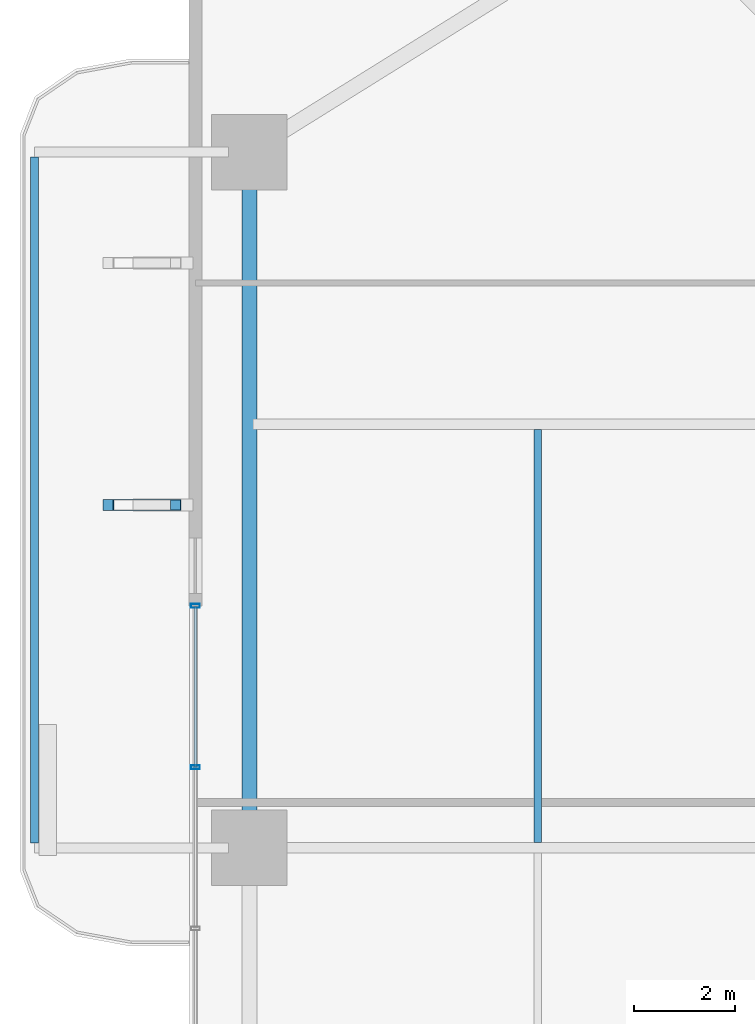
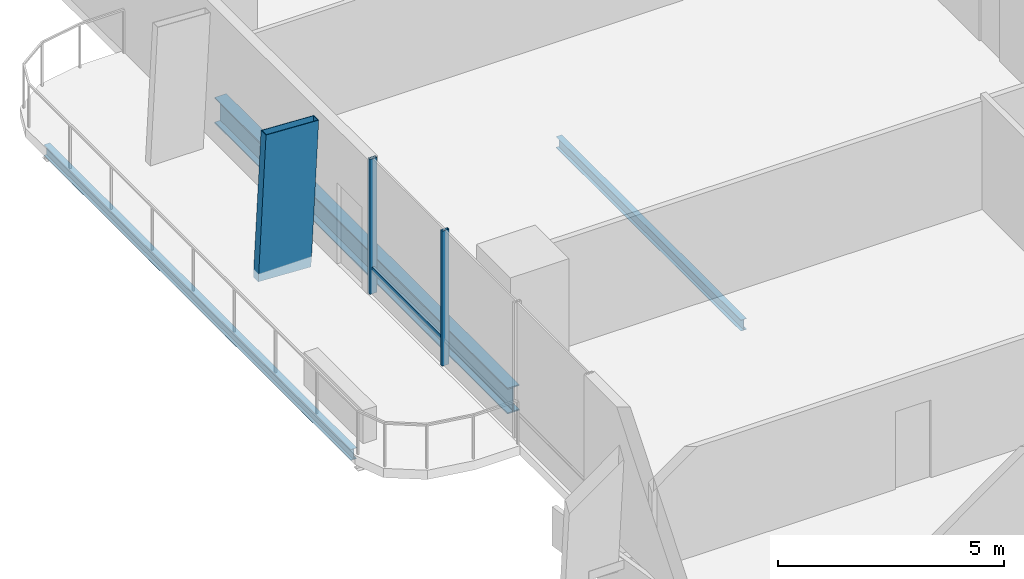
# One storey, part 9 of 23: 4 members, 3 beams, 1 element without a shape of its own.
"""IFC4 building model written with IfcOpenShell, lengths in metres."""

from ifc_helpers import new_model, si_unit, direction, frame, origin, origin_2d, place, context, subcontext, project, spatial, hollow_rectangle, i_section, extrude, material, layer, layer_set, material_profile, profile_set, type_object, element, aggregate, save


model = new_model("IFC4")

# Units and contexts
model_context = context("Model", 3, precision=1e-05, world=origin(), true_north=direction((0.0, 1.0)))
body_context = subcontext(model_context, "Body", "Model", "MODEL_VIEW")
ifc_project = project(units=[si_unit("LENGTHUNIT", "METRE"), si_unit("AREAUNIT", "SQUARE_METRE"), si_unit("VOLUMEUNIT", "CUBIC_METRE"), si_unit("PLANEANGLEUNIT", "RADIAN"), si_unit("MASSUNIT", "GRAM", prefix="KILO")], contexts=[model_context])

# Site, building, storey
site_placement = place(None, origin())
site = spatial("IfcSite", under=ifc_project, at=site_placement, CompositionType="ELEMENT")
building_placement = place(site_placement, origin())
building = spatial("IfcBuilding", under=site, at=building_placement, Name="Belovzor Exchange Tower", CompositionType="ELEMENT")
storey_placement = place(building_placement, frame((0.0, 0.0, 76.800048828125)))
storey = spatial("IfcBuildingStorey", under=building, at=storey_placement, Name="L18", CompositionType="ELEMENT", Elevation=76.800048828125)

# Member
ifc_material_1 = material(Name="Extruded Architectural Terracotta on Steel S355 Carrier", Category="masonry")
ifc_material_profile_1 = material_profile(ifc_material_1, hollow_rectangle(XDim=0.219970703125, YDim=1.35009765625, WallThickness=0.013916015625, at=origin_2d()))
ifc_profile_set_1 = profile_set([ifc_material_profile_1], Name="Extruded Architectural Terracotta on Steel S355 Carrier")
member_type_1 = type_object("IfcMemberType", Name="Base Arc Sweeping Terracotta Pylon Fin 1450", PredefinedType="USERDEFINED", material=ifc_profile_set_1)
member_1_placement = place(storey_placement, frame((-0.1259765625, 35.60009765625, -0.25), z_axis=(0.050704695274, 0.0, 0.998713689641), x_axis=(0.0, 1.0, 0.0)))
element("IfcMember", 1, at=member_1_placement, inside=storey, type_object=member_type_1, Name="FIN-TC145 Terracotta Facade Fin L18 W3", ObjectType="FIN", PredefinedType="USERDEFINED", context=body_context, shape_type="SweptSolid", body=[
    extrude(hollow_rectangle(XDim=0.219970703125, YDim=1.35009765625, WallThickness=0.013916015625, at=origin_2d()), origin(), (0.0, 0.0, 1.0), 3.905029296875),
])

# Beams
ifc_material_2 = material(Name="Steel S355", Category="steel")
ifc_material_profile_2 = material_profile(ifc_material_2, i_section(OverallWidth=0.14990234375, OverallDepth=0.300048828125, WebThickness=0.007080078125, FlangeThickness=0.0107421875, at=origin_2d()))
ifc_profile_set_2 = profile_set([ifc_material_profile_2], Name="Steel S355")
beam_type_1 = type_object("IfcBeamType", Name="Planted Balcony Fascia Edge Beam IPE 300", PredefinedType="BEAM", material=ifc_profile_set_2)
beam_1_placement = place(storey_placement, frame((-2.162109375, 42.5, -0.400146484375), z_axis=(0.0, -1.0, 0.0), x_axis=(1.0, 0.0, 0.0)))
element("IfcBeam", 2, at=beam_1_placement, inside=storey, type_object=beam_type_1, Name="BC-300 Planted Balcony Fascia Edge Beam IPE 300", PredefinedType="BEAM", context=body_context, shape_type="SweptSolid", body=[
    extrude(i_section(OverallWidth=0.14990234375, OverallDepth=0.300048828125, WebThickness=0.007080078125, FlangeThickness=0.0107421875, at=origin_2d()), origin(), (0.0, 0.0, 1.0), 13.60009765625),
])
ifc_material_3 = material(Name="Steel S355", Category="steel")
ifc_material_profile_3 = material_profile(ifc_material_3, i_section(OverallWidth=0.14990234375, OverallDepth=0.300048828125, WebThickness=0.007080078125, FlangeThickness=0.0107421875, at=origin_2d()))
ifc_profile_set_3 = profile_set([ifc_material_profile_3], Name="Steel S355")
beam_type_2 = type_object("IfcBeamType", Name="Secondary Trim Floor Joist IPE 300", PredefinedType="BEAM", material=ifc_profile_set_3)
beam_2_placement = place(storey_placement, frame((7.81494140625, 28.905029296875, -0.400146484375), z_axis=(0.0, 1.0, 0.0), x_axis=(-1.0, 0.0, 0.0)))
element("IfcBeam", 3, at=beam_2_placement, inside=storey, type_object=beam_type_2, Name="FJ-300 Secondary Trim Floor Joist IPE 300", PredefinedType="BEAM", context=body_context, shape_type="SweptSolid", body=[
    extrude(i_section(OverallWidth=0.14990234375, OverallDepth=0.300048828125, WebThickness=0.007080078125, FlangeThickness=0.0107421875, at=origin_2d()), origin(), (0.0, 0.0, 1.0), 8.18994140625),
])

# Curtain wall, members
ifc_material_4 = material(Name="Anodised Aluminium Framing", Category="aluminium")
ifc_layer = layer(ifc_material_4, 0.179931640625)
ifc_layer_set = layer_set([ifc_layer], Name="Anodised Aluminium Framing")
curtain_wall_type = type_object("IfcCurtainWallType", Name="Recessed Loggia Low-Iron Triple-Glazed Curtain Wall", PredefinedType="NOTDEFINED", material=ifc_layer_set)
curtain_wall_placement = place(storey_placement, origin())
curtain_wall = element("IfcCurtainWall", 4, at=curtain_wall_placement, inside=storey, type_object=curtain_wall_type, Name="CW3 Recessed Loggia Low-Iron Triple-Glazed Curtain Wall L18", PredefinedType="NOTDEFINED")
ifc_material_5 = material(Name="Steel S355", Category="steel")
ifc_material_profile_4 = material_profile(ifc_material_5, hollow_rectangle(XDim=0.074951171875, YDim=0.179931640625, WallThickness=0.0048828125, at=origin_2d()))
ifc_profile_set_4 = profile_set([ifc_material_profile_4], Name="Steel S355")
member_type_2 = type_object("IfcMemberType", Name="Thermally Broken Curtain Wall Mullion 180x75", PredefinedType="MULLION", material=ifc_profile_set_4)
member_2_placement = place(storey_placement, frame((1.030029296875, 30.39990234375, 0.0), z_axis=(0.0, 0.0, 1.0), x_axis=(0.0, 1.0, 0.0)))
member_2 = element("IfcMember", 5, at=member_2_placement, type_object=member_type_2, Name="CW-M180 Curtain Wall Mullion 3", PredefinedType="MULLION", context=body_context, shape_type="SweptSolid", body=[
    extrude(hollow_rectangle(XDim=0.074951171875, YDim=0.179931640625, WallThickness=0.0048828125, at=origin_2d()), origin(), (0.0, 0.0, 1.0), 3.64990234375),
])
member_3_placement = place(storey_placement, frame((1.030029296875, 33.60009765625, 0.0), z_axis=(0.0, 0.0, 1.0), x_axis=(0.0, 1.0, 0.0)))
member_3 = element("IfcMember", 6, at=member_3_placement, type_object=member_type_2, Name="CW-M180 Curtain Wall Mullion 4", PredefinedType="MULLION", context=body_context, shape_type="SweptSolid", body=[
    extrude(hollow_rectangle(XDim=0.074951171875, YDim=0.179931640625, WallThickness=0.0048828125, at=origin_2d()), origin(), (0.0, 0.0, 1.0), 3.64990234375),
])
ifc_material_6 = material(Name="Steel S355", Category="steel")
ifc_material_profile_5 = material_profile(ifc_material_6, hollow_rectangle(XDim=0.06005859375, YDim=0.14990234375, WallThickness=0.00390625, at=origin_2d()))
ifc_profile_set_5 = profile_set([ifc_material_profile_5], Name="Steel S355")
member_type_3 = type_object("IfcMemberType", Name="Thermally Broken Curtain Wall Transom 150x60", PredefinedType="USERDEFINED", material=ifc_profile_set_5)
member_4_placement = place(storey_placement, frame((1.030029296875, 30.407958984375, 0.64990234375), z_axis=(0.0, 1.0, 0.0), x_axis=(-1.0, 0.0, 0.0)))
member_4 = element("IfcMember", 7, at=member_4_placement, type_object=member_type_3, Name="CW-T150 Curtain Wall Transom 3", ObjectType="TRANSOM", PredefinedType="USERDEFINED", context=body_context, shape_type="SweptSolid", body=[
    extrude(hollow_rectangle(XDim=0.06005859375, YDim=0.14990234375, WallThickness=0.00390625, at=origin_2d()), origin(), (0.0, 0.0, 1.0), 3.18408203125),
])
aggregate(curtain_wall, [member_2, member_3, member_4])

# Beam
ifc_material_7 = material(Name="Steel S355", Category="steel")
ifc_material_profile_6 = material_profile(ifc_material_7, i_section(OverallWidth=0.300048828125, OverallDepth=0.699951171875, WebThickness=0.01708984375, FlangeThickness=0.031982421875, at=origin_2d()))
ifc_profile_set_6 = profile_set([ifc_material_profile_6], Name="Steel S355")
beam_type_3 = type_object("IfcBeamType", Name="Zone 1 Primary Perimeter Girder HEB 700", PredefinedType="BEAM", material=ifc_profile_set_6)
beam_3_placement = place(storey_placement, frame((2.10009765625, 42.18798828125, -0.60009765625), z_axis=(0.0, -1.0, 0.0), x_axis=(1.0, 0.0, 0.0)))
element("IfcBeam", 8, at=beam_3_placement, inside=storey, type_object=beam_type_3, Name="FG-Z1 Zone 1 Primary Perimeter Girder HEB 700", PredefinedType="BEAM", context=body_context, shape_type="SweptSolid", body=[
    extrude(i_section(OverallWidth=0.300048828125, OverallDepth=0.699951171875, WebThickness=0.01708984375, FlangeThickness=0.031982421875, at=origin_2d()), origin(), (0.0, 0.0, 1.0), 12.97509765625),
])

save(model, "model.ifc")
